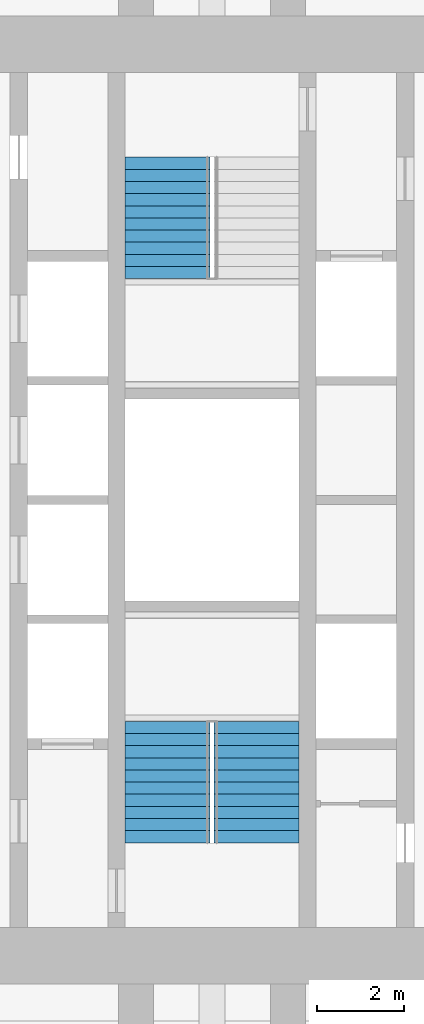
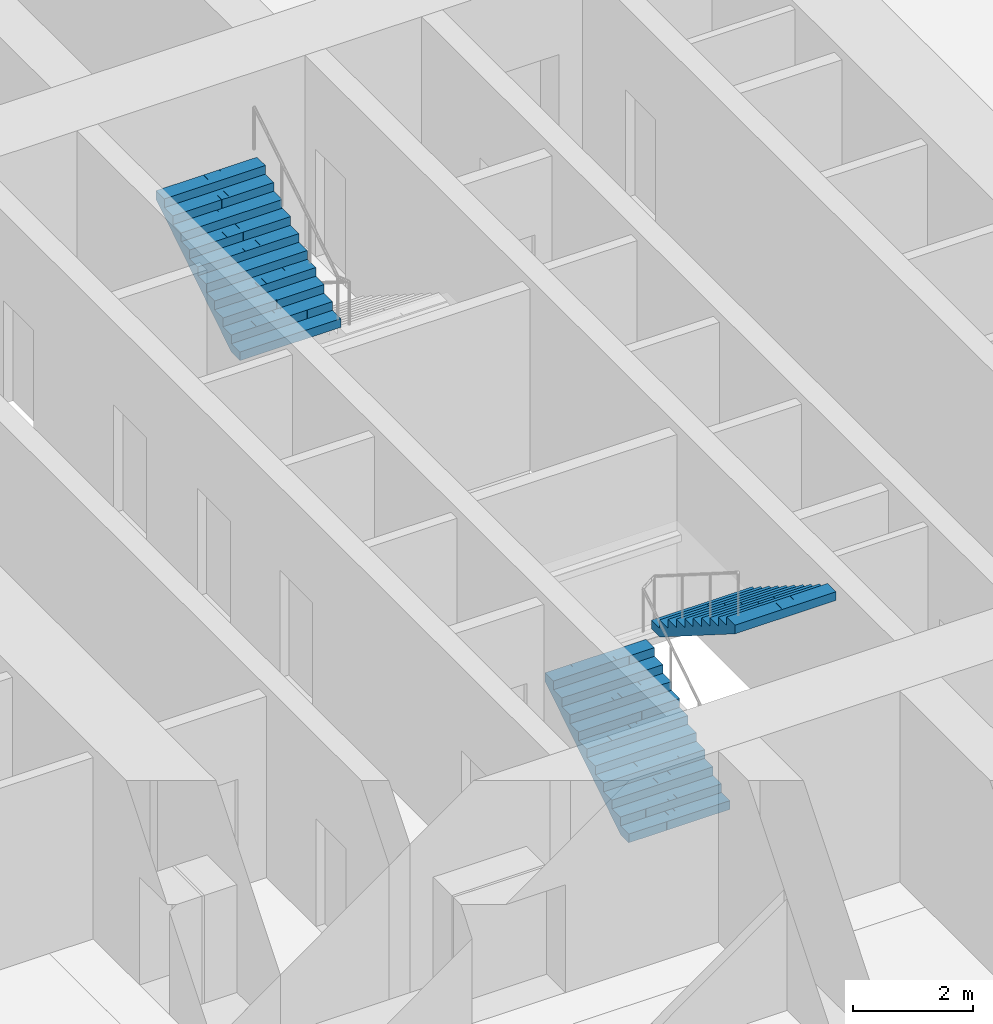
# One storey, part 18 of 20: 3 stair flights, 2 elements without a shape of their own.
"""IFC4 building model written with IfcOpenShell, lengths in metres."""

from ifc_helpers import new_model, si_unit, direction, frame, origin, place, context, subcontext, project, spatial, polyline, outline, extrude, material, type_object, element, aggregate, save


model = new_model("IFC4")

# Units and contexts
model_context = context("Model", 3, precision=1e-05, world=origin(), true_north=direction((0.0, 1.0)))
body_context = subcontext(model_context, "Body", "Model", "MODEL_VIEW")
ifc_project = project(units=[si_unit("LENGTHUNIT", "METRE"), si_unit("AREAUNIT", "SQUARE_METRE"), si_unit("VOLUMEUNIT", "CUBIC_METRE"), si_unit("PLANEANGLEUNIT", "RADIAN"), si_unit("MASSUNIT", "GRAM", prefix="KILO")], contexts=[model_context])

# Site, building, storey
site_placement = place(None, origin())
site = spatial("IfcSite", under=ifc_project, at=site_placement, CompositionType="ELEMENT")
building_placement = place(site_placement, origin())
building = spatial("IfcBuilding", under=site, at=building_placement, Name="Mizan Broadcast Tower", CompositionType="ELEMENT")
storey_placement = place(building_placement, frame((0.0, 0.0, 190.5)))
storey = spatial("IfcBuildingStorey", under=building, at=storey_placement, Name="L44", CompositionType="ELEMENT", Elevation=190.5)

# Stair, stair flights
ifc_material_1 = material(Name="Concrete C40/50", Category="concrete")
stair_type = type_object("IfcStairType", Name="EXIT STAIR", PredefinedType="HALF_TURN_STAIR", material=ifc_material_1)
stair_1_placement = place(storey_placement, origin())
stair_1 = element("IfcStair", 1, at=stair_1_placement, inside=storey, type_object=stair_type, Name="Stair A L44", PredefinedType="HALF_TURN_STAIR")
ifc_material_2 = material(Name="Concrete C40/50", Category="concrete")
stair_flight_type = type_object("IfcStairFlightType", Name="EXIT STAIR FLIGHT", PredefinedType="STRAIGHT", material=ifc_material_2)
stair_flight_1_placement = place(storey_placement, frame((-1.02490234375, -7.89990234375, 0.0), z_axis=(0.0, 0.0, 1.0), x_axis=(0.0, 1.0, 0.0)))
stair_flight_1 = element("IfcStairFlight", 2, at=stair_flight_1_placement, type_object=stair_flight_type, Name="A flight 1", NumberOfRisers=11, NumberOfTreads=10, PredefinedType="STRAIGHT", RiserHeight=0.177272727, TreadLength=0.28, context=body_context, shape_type="SweptSolid", body=[
    extrude(outline(polyline([(0.0, 0.0), (0.0, 0.17724609375), (0.280029296875, 0.17724609375), (0.280029296875, 0.3544921875), (0.56005859375, 0.3544921875), (0.56005859375, 0.53173828125), (0.840087890625, 0.53173828125), (0.840087890625, 0.708984375), (1.1201171875, 0.708984375), (1.1201171875, 0.886474609375), (1.39990234375, 0.886474609375), (1.39990234375, 1.063720703125), (1.679931640625, 1.063720703125), (1.679931640625, 1.240966796875), (1.9599609375, 1.240966796875), (1.9599609375, 1.418212890625), (2.239990234375, 1.418212890625), (2.239990234375, 1.595458984375), (2.52001953125, 1.595458984375), (2.52001953125, 1.772705078125), (2.800048828125, 1.772705078125), (2.800048828125, 1.949951171875), (2.800048828125, 1.59521484375), (0.2802734375, 0.0), (0.0, 0.0)])), frame((0.0, 0.97509765625, 0.0), z_axis=(0.0, -1.0, 0.0), x_axis=(1.0, 0.0, 0.0)), (0.0, 0.0, 1.0), 0.4873046875),
    extrude(outline(polyline([(0.0, 0.0), (0.0, 0.17724609375), (0.280029296875, 0.17724609375), (0.280029296875, 0.3544921875), (0.56005859375, 0.3544921875), (0.56005859375, 0.53173828125), (0.840087890625, 0.53173828125), (0.840087890625, 0.708984375), (1.1201171875, 0.708984375), (1.1201171875, 0.886474609375), (1.39990234375, 0.886474609375), (1.39990234375, 1.063720703125), (1.679931640625, 1.063720703125), (1.679931640625, 1.240966796875), (1.9599609375, 1.240966796875), (1.9599609375, 1.418212890625), (2.239990234375, 1.418212890625), (2.239990234375, 1.595458984375), (2.52001953125, 1.595458984375), (2.52001953125, 1.772705078125), (2.800048828125, 1.772705078125), (2.800048828125, 1.949951171875), (2.800048828125, 1.59521484375), (0.2802734375, 0.0), (0.0, 0.0)])), frame((0.0, 0.4873046875, 0.0), z_axis=(0.0, -1.0, 0.0), x_axis=(1.0, 0.0, 0.0)), (0.0, 0.0, 1.0), 0.2431640625),
    extrude(outline(polyline([(0.0, 0.0), (0.0, 0.17724609375), (0.280029296875, 0.17724609375), (0.280029296875, 0.3544921875), (0.56005859375, 0.3544921875), (0.56005859375, 0.53173828125), (0.840087890625, 0.53173828125), (0.840087890625, 0.708984375), (1.1201171875, 0.708984375), (1.1201171875, 0.886474609375), (1.39990234375, 0.886474609375), (1.39990234375, 1.063720703125), (1.679931640625, 1.063720703125), (1.679931640625, 1.240966796875), (1.9599609375, 1.240966796875), (1.9599609375, 1.418212890625), (2.239990234375, 1.418212890625), (2.239990234375, 1.595458984375), (2.52001953125, 1.595458984375), (2.52001953125, 1.772705078125), (2.800048828125, 1.772705078125), (2.800048828125, 1.949951171875), (2.800048828125, 1.59521484375), (0.2802734375, 0.0), (0.0, 0.0)])), frame((0.0, 0.24365234375, 0.0), z_axis=(0.0, -1.0, 0.0), x_axis=(1.0, 0.0, 0.0)), (0.0, 0.0, 1.0), 0.121337890625),
    extrude(outline(polyline([(0.0, 0.0), (0.0, 0.17724609375), (0.280029296875, 0.17724609375), (0.280029296875, 0.3544921875), (0.56005859375, 0.3544921875), (0.56005859375, 0.53173828125), (0.840087890625, 0.53173828125), (0.840087890625, 0.708984375), (1.1201171875, 0.708984375), (1.1201171875, 0.886474609375), (1.39990234375, 0.886474609375), (1.39990234375, 1.063720703125), (1.679931640625, 1.063720703125), (1.679931640625, 1.240966796875), (1.9599609375, 1.240966796875), (1.9599609375, 1.418212890625), (2.239990234375, 1.418212890625), (2.239990234375, 1.595458984375), (2.52001953125, 1.595458984375), (2.52001953125, 1.772705078125), (2.800048828125, 1.772705078125), (2.800048828125, 1.949951171875), (2.800048828125, 1.59521484375), (0.2802734375, 0.0), (0.0, 0.0)])), frame((0.0, 0.121826171875, 0.0), z_axis=(0.0, -1.0, 0.0), x_axis=(1.0, 0.0, 0.0)), (0.0, 0.0, 1.0), 0.060546875),
    extrude(outline(polyline([(0.0, 0.0), (0.0, 0.17724609375), (0.280029296875, 0.17724609375), (0.280029296875, 0.3544921875), (0.56005859375, 0.3544921875), (0.56005859375, 0.53173828125), (0.840087890625, 0.53173828125), (0.840087890625, 0.708984375), (1.1201171875, 0.708984375), (1.1201171875, 0.886474609375), (1.39990234375, 0.886474609375), (1.39990234375, 1.063720703125), (1.679931640625, 1.063720703125), (1.679931640625, 1.240966796875), (1.9599609375, 1.240966796875), (1.9599609375, 1.418212890625), (2.239990234375, 1.418212890625), (2.239990234375, 1.595458984375), (2.52001953125, 1.595458984375), (2.52001953125, 1.772705078125), (2.800048828125, 1.772705078125), (2.800048828125, 1.949951171875), (2.800048828125, 1.59521484375), (0.2802734375, 0.0), (0.0, 0.0)])), frame((0.0, 0.060791015625, 0.0), z_axis=(0.0, -1.0, 0.0), x_axis=(1.0, 0.0, 0.0)), (0.0, 0.0, 1.0), 0.030029296875),
    extrude(outline(polyline([(0.0, 0.0), (0.0, 0.17724609375), (0.280029296875, 0.17724609375), (0.280029296875, 0.3544921875), (0.56005859375, 0.3544921875), (0.56005859375, 0.53173828125), (0.840087890625, 0.53173828125), (0.840087890625, 0.708984375), (1.1201171875, 0.708984375), (1.1201171875, 0.886474609375), (1.39990234375, 0.886474609375), (1.39990234375, 1.063720703125), (1.679931640625, 1.063720703125), (1.679931640625, 1.240966796875), (1.9599609375, 1.240966796875), (1.9599609375, 1.418212890625), (2.239990234375, 1.418212890625), (2.239990234375, 1.595458984375), (2.52001953125, 1.595458984375), (2.52001953125, 1.772705078125), (2.800048828125, 1.772705078125), (2.800048828125, 1.949951171875), (2.800048828125, 1.59521484375), (0.2802734375, 0.0), (0.0, 0.0)])), frame((0.0, 0.0302734375, 0.0), z_axis=(0.0, -1.0, 0.0), x_axis=(1.0, 0.0, 0.0)), (0.0, 0.0, 1.0), 0.060302734375),
    extrude(outline(polyline([(0.0, 0.0), (0.0, 0.17724609375), (0.280029296875, 0.17724609375), (0.280029296875, 0.3544921875), (0.56005859375, 0.3544921875), (0.56005859375, 0.53173828125), (0.840087890625, 0.53173828125), (0.840087890625, 0.708984375), (1.1201171875, 0.708984375), (1.1201171875, 0.886474609375), (1.39990234375, 0.886474609375), (1.39990234375, 1.063720703125), (1.679931640625, 1.063720703125), (1.679931640625, 1.240966796875), (1.9599609375, 1.240966796875), (1.9599609375, 1.418212890625), (2.239990234375, 1.418212890625), (2.239990234375, 1.595458984375), (2.52001953125, 1.595458984375), (2.52001953125, 1.772705078125), (2.800048828125, 1.772705078125), (2.800048828125, 1.949951171875), (2.800048828125, 1.59521484375), (0.2802734375, 0.0), (0.0, 0.0)])), frame((0.0, -0.030517578125, 0.0), z_axis=(0.0, -1.0, 0.0), x_axis=(1.0, 0.0, 0.0)), (0.0, 0.0, 1.0), 0.030029296875),
    extrude(outline(polyline([(0.0, 0.0), (0.0, 0.17724609375), (0.280029296875, 0.17724609375), (0.280029296875, 0.3544921875), (0.56005859375, 0.3544921875), (0.56005859375, 0.53173828125), (0.840087890625, 0.53173828125), (0.840087890625, 0.708984375), (1.1201171875, 0.708984375), (1.1201171875, 0.886474609375), (1.39990234375, 0.886474609375), (1.39990234375, 1.063720703125), (1.679931640625, 1.063720703125), (1.679931640625, 1.240966796875), (1.9599609375, 1.240966796875), (1.9599609375, 1.418212890625), (2.239990234375, 1.418212890625), (2.239990234375, 1.595458984375), (2.52001953125, 1.595458984375), (2.52001953125, 1.772705078125), (2.800048828125, 1.772705078125), (2.800048828125, 1.949951171875), (2.800048828125, 1.59521484375), (0.2802734375, 0.0), (0.0, 0.0)])), frame((0.0, -0.06103515625, 0.0), z_axis=(0.0, -1.0, 0.0), x_axis=(1.0, 0.0, 0.0)), (0.0, 0.0, 1.0), 0.060546875),
    extrude(outline(polyline([(0.0, 0.0), (0.0, 0.17724609375), (0.280029296875, 0.17724609375), (0.280029296875, 0.3544921875), (0.56005859375, 0.3544921875), (0.56005859375, 0.53173828125), (0.840087890625, 0.53173828125), (0.840087890625, 0.708984375), (1.1201171875, 0.708984375), (1.1201171875, 0.886474609375), (1.39990234375, 0.886474609375), (1.39990234375, 1.063720703125), (1.679931640625, 1.063720703125), (1.679931640625, 1.240966796875), (1.9599609375, 1.240966796875), (1.9599609375, 1.418212890625), (2.239990234375, 1.418212890625), (2.239990234375, 1.595458984375), (2.52001953125, 1.595458984375), (2.52001953125, 1.772705078125), (2.800048828125, 1.772705078125), (2.800048828125, 1.949951171875), (2.800048828125, 1.59521484375), (0.2802734375, 0.0), (0.0, 0.0)])), frame((0.0, -0.1220703125, 0.0), z_axis=(0.0, -1.0, 0.0), x_axis=(1.0, 0.0, 0.0)), (0.0, 0.0, 1.0), 0.121337890625),
    extrude(outline(polyline([(0.0, 0.0), (0.0, 0.17724609375), (0.280029296875, 0.17724609375), (0.280029296875, 0.3544921875), (0.56005859375, 0.3544921875), (0.56005859375, 0.53173828125), (0.840087890625, 0.53173828125), (0.840087890625, 0.708984375), (1.1201171875, 0.708984375), (1.1201171875, 0.886474609375), (1.39990234375, 0.886474609375), (1.39990234375, 1.063720703125), (1.679931640625, 1.063720703125), (1.679931640625, 1.240966796875), (1.9599609375, 1.240966796875), (1.9599609375, 1.418212890625), (2.239990234375, 1.418212890625), (2.239990234375, 1.595458984375), (2.52001953125, 1.595458984375), (2.52001953125, 1.772705078125), (2.800048828125, 1.772705078125), (2.800048828125, 1.949951171875), (2.800048828125, 1.59521484375), (0.2802734375, 0.0), (0.0, 0.0)])), frame((0.0, -0.243896484375, 0.0), z_axis=(0.0, -1.0, 0.0), x_axis=(1.0, 0.0, 0.0)), (0.0, 0.0, 1.0), 0.2431640625),
    extrude(outline(polyline([(0.0, 0.0), (0.0, 0.17724609375), (0.280029296875, 0.17724609375), (0.280029296875, 0.3544921875), (0.56005859375, 0.3544921875), (0.56005859375, 0.53173828125), (0.840087890625, 0.53173828125), (0.840087890625, 0.708984375), (1.1201171875, 0.708984375), (1.1201171875, 0.886474609375), (1.39990234375, 0.886474609375), (1.39990234375, 1.063720703125), (1.679931640625, 1.063720703125), (1.679931640625, 1.240966796875), (1.9599609375, 1.240966796875), (1.9599609375, 1.418212890625), (2.239990234375, 1.418212890625), (2.239990234375, 1.595458984375), (2.52001953125, 1.595458984375), (2.52001953125, 1.772705078125), (2.800048828125, 1.772705078125), (2.800048828125, 1.949951171875), (2.800048828125, 1.59521484375), (0.2802734375, 0.0), (0.0, 0.0)])), frame((0.0, -0.487548828125, 0.0), z_axis=(0.0, -1.0, 0.0), x_axis=(1.0, 0.0, 0.0)), (0.0, 0.0, 1.0), 0.4873046875),
])
stair_flight_2_placement = place(storey_placement, frame((1.02490234375, -5.10009765625, 1.949951171875), z_axis=(0.0, 0.0, 1.0), x_axis=(0.0, -1.0, 0.0)))
stair_flight_2 = element("IfcStairFlight", 3, at=stair_flight_2_placement, type_object=stair_flight_type, Name="A flight 2", NumberOfRisers=11, NumberOfTreads=10, PredefinedType="STRAIGHT", RiserHeight=0.177272727, TreadLength=0.28, context=body_context, shape_type="SweptSolid", body=[
    extrude(outline(polyline([(0.0, 0.0), (0.0, 0.17724609375), (0.280029296875, 0.17724609375), (0.280029296875, 0.3544921875), (0.56005859375, 0.3544921875), (0.56005859375, 0.53173828125), (0.840087890625, 0.53173828125), (0.840087890625, 0.708984375), (1.1201171875, 0.708984375), (1.1201171875, 0.886474609375), (1.39990234375, 0.886474609375), (1.39990234375, 1.063720703125), (1.679931640625, 1.063720703125), (1.679931640625, 1.240966796875), (1.9599609375, 1.240966796875), (1.9599609375, 1.418212890625), (2.239990234375, 1.418212890625), (2.239990234375, 1.595458984375), (2.52001953125, 1.595458984375), (2.52001953125, 1.772705078125), (2.800048828125, 1.772705078125), (2.800048828125, 1.949951171875), (2.800048828125, 1.59521484375), (0.2802734375, 0.0), (0.0, 0.0)])), frame((0.0, 0.97509765625, 0.0), z_axis=(0.0, -1.0, 0.0), x_axis=(1.0, 0.0, 0.0)), (0.0, 0.0, 1.0), 0.4873046875),
    extrude(outline(polyline([(0.0, 0.0), (0.0, 0.17724609375), (0.280029296875, 0.17724609375), (0.280029296875, 0.3544921875), (0.56005859375, 0.3544921875), (0.56005859375, 0.53173828125), (0.840087890625, 0.53173828125), (0.840087890625, 0.708984375), (1.1201171875, 0.708984375), (1.1201171875, 0.886474609375), (1.39990234375, 0.886474609375), (1.39990234375, 1.063720703125), (1.679931640625, 1.063720703125), (1.679931640625, 1.240966796875), (1.9599609375, 1.240966796875), (1.9599609375, 1.418212890625), (2.239990234375, 1.418212890625), (2.239990234375, 1.595458984375), (2.52001953125, 1.595458984375), (2.52001953125, 1.772705078125), (2.800048828125, 1.772705078125), (2.800048828125, 1.949951171875), (2.800048828125, 1.59521484375), (0.2802734375, 0.0), (0.0, 0.0)])), frame((0.0, 0.4873046875, 0.0), z_axis=(0.0, -1.0, 0.0), x_axis=(1.0, 0.0, 0.0)), (0.0, 0.0, 1.0), 0.2431640625),
    extrude(outline(polyline([(0.0, 0.0), (0.0, 0.17724609375), (0.280029296875, 0.17724609375), (0.280029296875, 0.3544921875), (0.56005859375, 0.3544921875), (0.56005859375, 0.53173828125), (0.840087890625, 0.53173828125), (0.840087890625, 0.708984375), (1.1201171875, 0.708984375), (1.1201171875, 0.886474609375), (1.39990234375, 0.886474609375), (1.39990234375, 1.063720703125), (1.679931640625, 1.063720703125), (1.679931640625, 1.240966796875), (1.9599609375, 1.240966796875), (1.9599609375, 1.418212890625), (2.239990234375, 1.418212890625), (2.239990234375, 1.595458984375), (2.52001953125, 1.595458984375), (2.52001953125, 1.772705078125), (2.800048828125, 1.772705078125), (2.800048828125, 1.949951171875), (2.800048828125, 1.59521484375), (0.2802734375, 0.0), (0.0, 0.0)])), frame((0.0, 0.24365234375, 0.0), z_axis=(0.0, -1.0, 0.0), x_axis=(1.0, 0.0, 0.0)), (0.0, 0.0, 1.0), 0.121337890625),
    extrude(outline(polyline([(0.0, 0.0), (0.0, 0.17724609375), (0.280029296875, 0.17724609375), (0.280029296875, 0.3544921875), (0.56005859375, 0.3544921875), (0.56005859375, 0.53173828125), (0.840087890625, 0.53173828125), (0.840087890625, 0.708984375), (1.1201171875, 0.708984375), (1.1201171875, 0.886474609375), (1.39990234375, 0.886474609375), (1.39990234375, 1.063720703125), (1.679931640625, 1.063720703125), (1.679931640625, 1.240966796875), (1.9599609375, 1.240966796875), (1.9599609375, 1.418212890625), (2.239990234375, 1.418212890625), (2.239990234375, 1.595458984375), (2.52001953125, 1.595458984375), (2.52001953125, 1.772705078125), (2.800048828125, 1.772705078125), (2.800048828125, 1.949951171875), (2.800048828125, 1.59521484375), (0.2802734375, 0.0), (0.0, 0.0)])), frame((0.0, 0.121826171875, 0.0), z_axis=(0.0, -1.0, 0.0), x_axis=(1.0, 0.0, 0.0)), (0.0, 0.0, 1.0), 0.060546875),
    extrude(outline(polyline([(0.0, 0.0), (0.0, 0.17724609375), (0.280029296875, 0.17724609375), (0.280029296875, 0.3544921875), (0.56005859375, 0.3544921875), (0.56005859375, 0.53173828125), (0.840087890625, 0.53173828125), (0.840087890625, 0.708984375), (1.1201171875, 0.708984375), (1.1201171875, 0.886474609375), (1.39990234375, 0.886474609375), (1.39990234375, 1.063720703125), (1.679931640625, 1.063720703125), (1.679931640625, 1.240966796875), (1.9599609375, 1.240966796875), (1.9599609375, 1.418212890625), (2.239990234375, 1.418212890625), (2.239990234375, 1.595458984375), (2.52001953125, 1.595458984375), (2.52001953125, 1.772705078125), (2.800048828125, 1.772705078125), (2.800048828125, 1.949951171875), (2.800048828125, 1.59521484375), (0.2802734375, 0.0), (0.0, 0.0)])), frame((0.0, 0.060791015625, 0.0), z_axis=(0.0, -1.0, 0.0), x_axis=(1.0, 0.0, 0.0)), (0.0, 0.0, 1.0), 0.030029296875),
    extrude(outline(polyline([(0.0, 0.0), (0.0, 0.17724609375), (0.280029296875, 0.17724609375), (0.280029296875, 0.3544921875), (0.56005859375, 0.3544921875), (0.56005859375, 0.53173828125), (0.840087890625, 0.53173828125), (0.840087890625, 0.708984375), (1.1201171875, 0.708984375), (1.1201171875, 0.886474609375), (1.39990234375, 0.886474609375), (1.39990234375, 1.063720703125), (1.679931640625, 1.063720703125), (1.679931640625, 1.240966796875), (1.9599609375, 1.240966796875), (1.9599609375, 1.418212890625), (2.239990234375, 1.418212890625), (2.239990234375, 1.595458984375), (2.52001953125, 1.595458984375), (2.52001953125, 1.772705078125), (2.800048828125, 1.772705078125), (2.800048828125, 1.949951171875), (2.800048828125, 1.59521484375), (0.2802734375, 0.0), (0.0, 0.0)])), frame((0.0, 0.0302734375, 0.0), z_axis=(0.0, -1.0, 0.0), x_axis=(1.0, 0.0, 0.0)), (0.0, 0.0, 1.0), 0.060302734375),
    extrude(outline(polyline([(0.0, 0.0), (0.0, 0.17724609375), (0.280029296875, 0.17724609375), (0.280029296875, 0.3544921875), (0.56005859375, 0.3544921875), (0.56005859375, 0.53173828125), (0.840087890625, 0.53173828125), (0.840087890625, 0.708984375), (1.1201171875, 0.708984375), (1.1201171875, 0.886474609375), (1.39990234375, 0.886474609375), (1.39990234375, 1.063720703125), (1.679931640625, 1.063720703125), (1.679931640625, 1.240966796875), (1.9599609375, 1.240966796875), (1.9599609375, 1.418212890625), (2.239990234375, 1.418212890625), (2.239990234375, 1.595458984375), (2.52001953125, 1.595458984375), (2.52001953125, 1.772705078125), (2.800048828125, 1.772705078125), (2.800048828125, 1.949951171875), (2.800048828125, 1.59521484375), (0.2802734375, 0.0), (0.0, 0.0)])), frame((0.0, -0.030517578125, 0.0), z_axis=(0.0, -1.0, 0.0), x_axis=(1.0, 0.0, 0.0)), (0.0, 0.0, 1.0), 0.030029296875),
    extrude(outline(polyline([(0.0, 0.0), (0.0, 0.17724609375), (0.280029296875, 0.17724609375), (0.280029296875, 0.3544921875), (0.56005859375, 0.3544921875), (0.56005859375, 0.53173828125), (0.840087890625, 0.53173828125), (0.840087890625, 0.708984375), (1.1201171875, 0.708984375), (1.1201171875, 0.886474609375), (1.39990234375, 0.886474609375), (1.39990234375, 1.063720703125), (1.679931640625, 1.063720703125), (1.679931640625, 1.240966796875), (1.9599609375, 1.240966796875), (1.9599609375, 1.418212890625), (2.239990234375, 1.418212890625), (2.239990234375, 1.595458984375), (2.52001953125, 1.595458984375), (2.52001953125, 1.772705078125), (2.800048828125, 1.772705078125), (2.800048828125, 1.949951171875), (2.800048828125, 1.59521484375), (0.2802734375, 0.0), (0.0, 0.0)])), frame((0.0, -0.06103515625, 0.0), z_axis=(0.0, -1.0, 0.0), x_axis=(1.0, 0.0, 0.0)), (0.0, 0.0, 1.0), 0.060546875),
    extrude(outline(polyline([(0.0, 0.0), (0.0, 0.17724609375), (0.280029296875, 0.17724609375), (0.280029296875, 0.3544921875), (0.56005859375, 0.3544921875), (0.56005859375, 0.53173828125), (0.840087890625, 0.53173828125), (0.840087890625, 0.708984375), (1.1201171875, 0.708984375), (1.1201171875, 0.886474609375), (1.39990234375, 0.886474609375), (1.39990234375, 1.063720703125), (1.679931640625, 1.063720703125), (1.679931640625, 1.240966796875), (1.9599609375, 1.240966796875), (1.9599609375, 1.418212890625), (2.239990234375, 1.418212890625), (2.239990234375, 1.595458984375), (2.52001953125, 1.595458984375), (2.52001953125, 1.772705078125), (2.800048828125, 1.772705078125), (2.800048828125, 1.949951171875), (2.800048828125, 1.59521484375), (0.2802734375, 0.0), (0.0, 0.0)])), frame((0.0, -0.1220703125, 0.0), z_axis=(0.0, -1.0, 0.0), x_axis=(1.0, 0.0, 0.0)), (0.0, 0.0, 1.0), 0.121337890625),
    extrude(outline(polyline([(0.0, 0.0), (0.0, 0.17724609375), (0.280029296875, 0.17724609375), (0.280029296875, 0.3544921875), (0.56005859375, 0.3544921875), (0.56005859375, 0.53173828125), (0.840087890625, 0.53173828125), (0.840087890625, 0.708984375), (1.1201171875, 0.708984375), (1.1201171875, 0.886474609375), (1.39990234375, 0.886474609375), (1.39990234375, 1.063720703125), (1.679931640625, 1.063720703125), (1.679931640625, 1.240966796875), (1.9599609375, 1.240966796875), (1.9599609375, 1.418212890625), (2.239990234375, 1.418212890625), (2.239990234375, 1.595458984375), (2.52001953125, 1.595458984375), (2.52001953125, 1.772705078125), (2.800048828125, 1.772705078125), (2.800048828125, 1.949951171875), (2.800048828125, 1.59521484375), (0.2802734375, 0.0), (0.0, 0.0)])), frame((0.0, -0.243896484375, 0.0), z_axis=(0.0, -1.0, 0.0), x_axis=(1.0, 0.0, 0.0)), (0.0, 0.0, 1.0), 0.2431640625),
    extrude(outline(polyline([(0.0, 0.0), (0.0, 0.17724609375), (0.280029296875, 0.17724609375), (0.280029296875, 0.3544921875), (0.56005859375, 0.3544921875), (0.56005859375, 0.53173828125), (0.840087890625, 0.53173828125), (0.840087890625, 0.708984375), (1.1201171875, 0.708984375), (1.1201171875, 0.886474609375), (1.39990234375, 0.886474609375), (1.39990234375, 1.063720703125), (1.679931640625, 1.063720703125), (1.679931640625, 1.240966796875), (1.9599609375, 1.240966796875), (1.9599609375, 1.418212890625), (2.239990234375, 1.418212890625), (2.239990234375, 1.595458984375), (2.52001953125, 1.595458984375), (2.52001953125, 1.772705078125), (2.800048828125, 1.772705078125), (2.800048828125, 1.949951171875), (2.800048828125, 1.59521484375), (0.2802734375, 0.0), (0.0, 0.0)])), frame((0.0, -0.487548828125, 0.0), z_axis=(0.0, -1.0, 0.0), x_axis=(1.0, 0.0, 0.0)), (0.0, 0.0, 1.0), 0.4873046875),
])
aggregate(stair_1, [stair_flight_1, stair_flight_2])

# Stair, stair flight
stair_2_placement = place(storey_placement, origin())
stair_2 = element("IfcStair", 4, at=stair_2_placement, inside=storey, type_object=stair_type, Name="Stair B L44", PredefinedType="HALF_TURN_STAIR")
stair_flight_3_placement = place(storey_placement, frame((-1.02490234375, 5.10009765625, 1.949951171875), z_axis=(0.0, 0.0, 1.0), x_axis=(0.0, 1.0, 0.0)))
stair_flight_3 = element("IfcStairFlight", 5, at=stair_flight_3_placement, type_object=stair_flight_type, Name="B flight 2", NumberOfRisers=11, NumberOfTreads=10, PredefinedType="STRAIGHT", RiserHeight=0.177272727, TreadLength=0.28, context=body_context, shape_type="SweptSolid", body=[
    extrude(outline(polyline([(0.0, 0.0), (0.0, 0.17724609375), (0.280029296875, 0.17724609375), (0.280029296875, 0.3544921875), (0.56005859375, 0.3544921875), (0.56005859375, 0.53173828125), (0.840087890625, 0.53173828125), (0.840087890625, 0.708984375), (1.1201171875, 0.708984375), (1.1201171875, 0.886474609375), (1.39990234375, 0.886474609375), (1.39990234375, 1.063720703125), (1.679931640625, 1.063720703125), (1.679931640625, 1.240966796875), (1.9599609375, 1.240966796875), (1.9599609375, 1.418212890625), (2.239990234375, 1.418212890625), (2.239990234375, 1.595458984375), (2.52001953125, 1.595458984375), (2.52001953125, 1.772705078125), (2.800048828125, 1.772705078125), (2.800048828125, 1.949951171875), (2.800048828125, 1.59521484375), (0.2802734375, 0.0), (0.0, 0.0)])), frame((0.0, 0.97509765625, 0.0), z_axis=(0.0, -1.0, 0.0), x_axis=(1.0, 0.0, 0.0)), (0.0, 0.0, 1.0), 0.4873046875),
    extrude(outline(polyline([(0.0, 0.0), (0.0, 0.17724609375), (0.280029296875, 0.17724609375), (0.280029296875, 0.3544921875), (0.56005859375, 0.3544921875), (0.56005859375, 0.53173828125), (0.840087890625, 0.53173828125), (0.840087890625, 0.708984375), (1.1201171875, 0.708984375), (1.1201171875, 0.886474609375), (1.39990234375, 0.886474609375), (1.39990234375, 1.063720703125), (1.679931640625, 1.063720703125), (1.679931640625, 1.240966796875), (1.9599609375, 1.240966796875), (1.9599609375, 1.418212890625), (2.239990234375, 1.418212890625), (2.239990234375, 1.595458984375), (2.52001953125, 1.595458984375), (2.52001953125, 1.772705078125), (2.800048828125, 1.772705078125), (2.800048828125, 1.949951171875), (2.800048828125, 1.59521484375), (0.2802734375, 0.0), (0.0, 0.0)])), frame((0.0, 0.4873046875, 0.0), z_axis=(0.0, -1.0, 0.0), x_axis=(1.0, 0.0, 0.0)), (0.0, 0.0, 1.0), 0.2431640625),
    extrude(outline(polyline([(0.0, 0.0), (0.0, 0.17724609375), (0.280029296875, 0.17724609375), (0.280029296875, 0.3544921875), (0.56005859375, 0.3544921875), (0.56005859375, 0.53173828125), (0.840087890625, 0.53173828125), (0.840087890625, 0.708984375), (1.1201171875, 0.708984375), (1.1201171875, 0.886474609375), (1.39990234375, 0.886474609375), (1.39990234375, 1.063720703125), (1.679931640625, 1.063720703125), (1.679931640625, 1.240966796875), (1.9599609375, 1.240966796875), (1.9599609375, 1.418212890625), (2.239990234375, 1.418212890625), (2.239990234375, 1.595458984375), (2.52001953125, 1.595458984375), (2.52001953125, 1.772705078125), (2.800048828125, 1.772705078125), (2.800048828125, 1.949951171875), (2.800048828125, 1.59521484375), (0.2802734375, 0.0), (0.0, 0.0)])), frame((0.0, 0.24365234375, 0.0), z_axis=(0.0, -1.0, 0.0), x_axis=(1.0, 0.0, 0.0)), (0.0, 0.0, 1.0), 0.121337890625),
    extrude(outline(polyline([(0.0, 0.0), (0.0, 0.17724609375), (0.280029296875, 0.17724609375), (0.280029296875, 0.3544921875), (0.56005859375, 0.3544921875), (0.56005859375, 0.53173828125), (0.840087890625, 0.53173828125), (0.840087890625, 0.708984375), (1.1201171875, 0.708984375), (1.1201171875, 0.886474609375), (1.39990234375, 0.886474609375), (1.39990234375, 1.063720703125), (1.679931640625, 1.063720703125), (1.679931640625, 1.240966796875), (1.9599609375, 1.240966796875), (1.9599609375, 1.418212890625), (2.239990234375, 1.418212890625), (2.239990234375, 1.595458984375), (2.52001953125, 1.595458984375), (2.52001953125, 1.772705078125), (2.800048828125, 1.772705078125), (2.800048828125, 1.949951171875), (2.800048828125, 1.59521484375), (0.2802734375, 0.0), (0.0, 0.0)])), frame((0.0, 0.121826171875, 0.0), z_axis=(0.0, -1.0, 0.0), x_axis=(1.0, 0.0, 0.0)), (0.0, 0.0, 1.0), 0.060546875),
    extrude(outline(polyline([(0.0, 0.0), (0.0, 0.17724609375), (0.280029296875, 0.17724609375), (0.280029296875, 0.3544921875), (0.56005859375, 0.3544921875), (0.56005859375, 0.53173828125), (0.840087890625, 0.53173828125), (0.840087890625, 0.708984375), (1.1201171875, 0.708984375), (1.1201171875, 0.886474609375), (1.39990234375, 0.886474609375), (1.39990234375, 1.063720703125), (1.679931640625, 1.063720703125), (1.679931640625, 1.240966796875), (1.9599609375, 1.240966796875), (1.9599609375, 1.418212890625), (2.239990234375, 1.418212890625), (2.239990234375, 1.595458984375), (2.52001953125, 1.595458984375), (2.52001953125, 1.772705078125), (2.800048828125, 1.772705078125), (2.800048828125, 1.949951171875), (2.800048828125, 1.59521484375), (0.2802734375, 0.0), (0.0, 0.0)])), frame((0.0, 0.060791015625, 0.0), z_axis=(0.0, -1.0, 0.0), x_axis=(1.0, 0.0, 0.0)), (0.0, 0.0, 1.0), 0.030029296875),
    extrude(outline(polyline([(0.0, 0.0), (0.0, 0.17724609375), (0.280029296875, 0.17724609375), (0.280029296875, 0.3544921875), (0.56005859375, 0.3544921875), (0.56005859375, 0.53173828125), (0.840087890625, 0.53173828125), (0.840087890625, 0.708984375), (1.1201171875, 0.708984375), (1.1201171875, 0.886474609375), (1.39990234375, 0.886474609375), (1.39990234375, 1.063720703125), (1.679931640625, 1.063720703125), (1.679931640625, 1.240966796875), (1.9599609375, 1.240966796875), (1.9599609375, 1.418212890625), (2.239990234375, 1.418212890625), (2.239990234375, 1.595458984375), (2.52001953125, 1.595458984375), (2.52001953125, 1.772705078125), (2.800048828125, 1.772705078125), (2.800048828125, 1.949951171875), (2.800048828125, 1.59521484375), (0.2802734375, 0.0), (0.0, 0.0)])), frame((0.0, 0.0302734375, 0.0), z_axis=(0.0, -1.0, 0.0), x_axis=(1.0, 0.0, 0.0)), (0.0, 0.0, 1.0), 0.060302734375),
    extrude(outline(polyline([(0.0, 0.0), (0.0, 0.17724609375), (0.280029296875, 0.17724609375), (0.280029296875, 0.3544921875), (0.56005859375, 0.3544921875), (0.56005859375, 0.53173828125), (0.840087890625, 0.53173828125), (0.840087890625, 0.708984375), (1.1201171875, 0.708984375), (1.1201171875, 0.886474609375), (1.39990234375, 0.886474609375), (1.39990234375, 1.063720703125), (1.679931640625, 1.063720703125), (1.679931640625, 1.240966796875), (1.9599609375, 1.240966796875), (1.9599609375, 1.418212890625), (2.239990234375, 1.418212890625), (2.239990234375, 1.595458984375), (2.52001953125, 1.595458984375), (2.52001953125, 1.772705078125), (2.800048828125, 1.772705078125), (2.800048828125, 1.949951171875), (2.800048828125, 1.59521484375), (0.2802734375, 0.0), (0.0, 0.0)])), frame((0.0, -0.030517578125, 0.0), z_axis=(0.0, -1.0, 0.0), x_axis=(1.0, 0.0, 0.0)), (0.0, 0.0, 1.0), 0.030029296875),
    extrude(outline(polyline([(0.0, 0.0), (0.0, 0.17724609375), (0.280029296875, 0.17724609375), (0.280029296875, 0.3544921875), (0.56005859375, 0.3544921875), (0.56005859375, 0.53173828125), (0.840087890625, 0.53173828125), (0.840087890625, 0.708984375), (1.1201171875, 0.708984375), (1.1201171875, 0.886474609375), (1.39990234375, 0.886474609375), (1.39990234375, 1.063720703125), (1.679931640625, 1.063720703125), (1.679931640625, 1.240966796875), (1.9599609375, 1.240966796875), (1.9599609375, 1.418212890625), (2.239990234375, 1.418212890625), (2.239990234375, 1.595458984375), (2.52001953125, 1.595458984375), (2.52001953125, 1.772705078125), (2.800048828125, 1.772705078125), (2.800048828125, 1.949951171875), (2.800048828125, 1.59521484375), (0.2802734375, 0.0), (0.0, 0.0)])), frame((0.0, -0.06103515625, 0.0), z_axis=(0.0, -1.0, 0.0), x_axis=(1.0, 0.0, 0.0)), (0.0, 0.0, 1.0), 0.060546875),
    extrude(outline(polyline([(0.0, 0.0), (0.0, 0.17724609375), (0.280029296875, 0.17724609375), (0.280029296875, 0.3544921875), (0.56005859375, 0.3544921875), (0.56005859375, 0.53173828125), (0.840087890625, 0.53173828125), (0.840087890625, 0.708984375), (1.1201171875, 0.708984375), (1.1201171875, 0.886474609375), (1.39990234375, 0.886474609375), (1.39990234375, 1.063720703125), (1.679931640625, 1.063720703125), (1.679931640625, 1.240966796875), (1.9599609375, 1.240966796875), (1.9599609375, 1.418212890625), (2.239990234375, 1.418212890625), (2.239990234375, 1.595458984375), (2.52001953125, 1.595458984375), (2.52001953125, 1.772705078125), (2.800048828125, 1.772705078125), (2.800048828125, 1.949951171875), (2.800048828125, 1.59521484375), (0.2802734375, 0.0), (0.0, 0.0)])), frame((0.0, -0.1220703125, 0.0), z_axis=(0.0, -1.0, 0.0), x_axis=(1.0, 0.0, 0.0)), (0.0, 0.0, 1.0), 0.121337890625),
    extrude(outline(polyline([(0.0, 0.0), (0.0, 0.17724609375), (0.280029296875, 0.17724609375), (0.280029296875, 0.3544921875), (0.56005859375, 0.3544921875), (0.56005859375, 0.53173828125), (0.840087890625, 0.53173828125), (0.840087890625, 0.708984375), (1.1201171875, 0.708984375), (1.1201171875, 0.886474609375), (1.39990234375, 0.886474609375), (1.39990234375, 1.063720703125), (1.679931640625, 1.063720703125), (1.679931640625, 1.240966796875), (1.9599609375, 1.240966796875), (1.9599609375, 1.418212890625), (2.239990234375, 1.418212890625), (2.239990234375, 1.595458984375), (2.52001953125, 1.595458984375), (2.52001953125, 1.772705078125), (2.800048828125, 1.772705078125), (2.800048828125, 1.949951171875), (2.800048828125, 1.59521484375), (0.2802734375, 0.0), (0.0, 0.0)])), frame((0.0, -0.243896484375, 0.0), z_axis=(0.0, -1.0, 0.0), x_axis=(1.0, 0.0, 0.0)), (0.0, 0.0, 1.0), 0.2431640625),
    extrude(outline(polyline([(0.0, 0.0), (0.0, 0.17724609375), (0.280029296875, 0.17724609375), (0.280029296875, 0.3544921875), (0.56005859375, 0.3544921875), (0.56005859375, 0.53173828125), (0.840087890625, 0.53173828125), (0.840087890625, 0.708984375), (1.1201171875, 0.708984375), (1.1201171875, 0.886474609375), (1.39990234375, 0.886474609375), (1.39990234375, 1.063720703125), (1.679931640625, 1.063720703125), (1.679931640625, 1.240966796875), (1.9599609375, 1.240966796875), (1.9599609375, 1.418212890625), (2.239990234375, 1.418212890625), (2.239990234375, 1.595458984375), (2.52001953125, 1.595458984375), (2.52001953125, 1.772705078125), (2.800048828125, 1.772705078125), (2.800048828125, 1.949951171875), (2.800048828125, 1.59521484375), (0.2802734375, 0.0), (0.0, 0.0)])), frame((0.0, -0.487548828125, 0.0), z_axis=(0.0, -1.0, 0.0), x_axis=(1.0, 0.0, 0.0)), (0.0, 0.0, 1.0), 0.4873046875),
])
aggregate(stair_2, [stair_flight_3])

save(model, "model.ifc")
